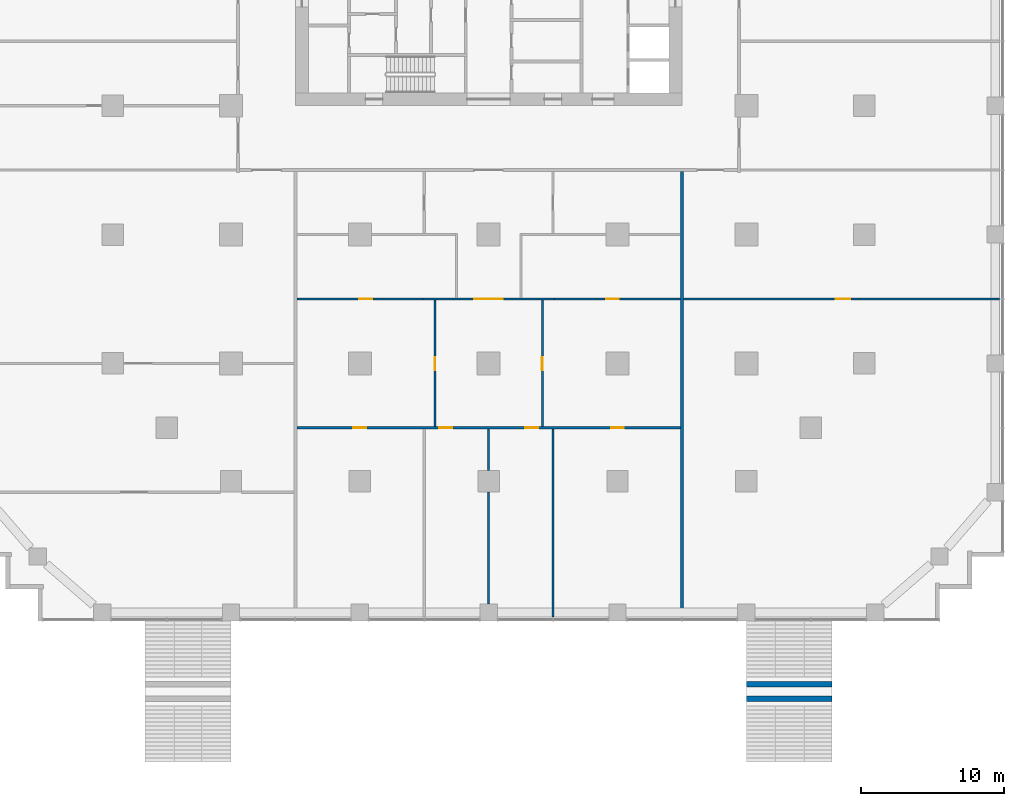
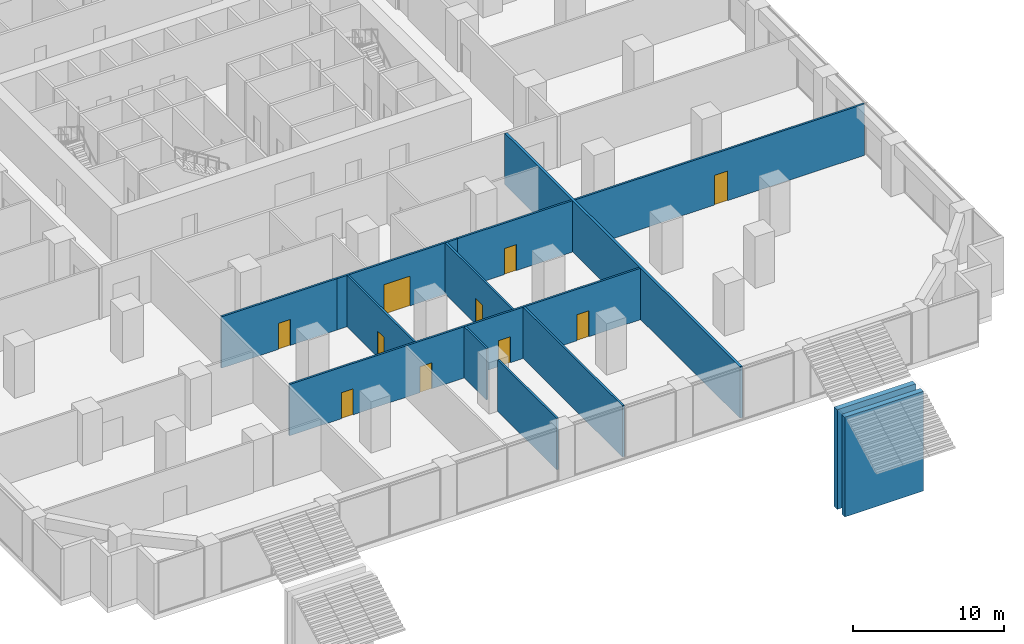
# One storey, part 12 of 18: 13 walls, 10 doors, 10 openings.
"""IFC4 building model written with IfcOpenShell, lengths in metres."""

import ifcopenshell
import ifcopenshell.guid

model = None  # the IFC model being written
_history = None  # IfcOwnerHistory: only IFC2X3 demands one
_inside = {}  # id of a spatial element -> (the spatial element, [elements in it])
_under = {}  # id of a project, library or spatial element -> (it, [spatial elements below it])
_declared = {}  # id of a project -> (the project, [libraries it declares])
_typed = {}  # id of a type object -> (the type object, [elements of that type])
_made_of = {}  # id of a material, layer set ... -> (it, [elements and type objects made of it])


def new_model(schema):
    """Start an empty IFC model of exactly this schema.

    Asked for "IFC4X3", IfcOpenShell would pick the latest addendum, in which some entities
    have other attributes; the version numbers below select the first issue.
    IFC2X3 requires an IfcOwnerHistory on every rooted entity: one is made here for all.
    """
    global model, _history
    if schema == "IFC4X3":
        model = ifcopenshell.file(schema_version=(4, 3, 0, 0))
    else:
        model = ifcopenshell.file(schema=schema)
    _inside.clear()
    _under.clear()
    _declared.clear()
    _typed.clear()
    _made_of.clear()
    _history = None
    if model.schema == "IFC2X3":
        org = make("IfcOrganization", Name="unknown")
        user = make(
            "IfcPersonAndOrganization",
            ThePerson=make("IfcPerson", FamilyName="unknown"),
            TheOrganization=org,
        )
        app = make(
            "IfcApplication",
            ApplicationDeveloper=org,
            Version="unknown",
            ApplicationFullName="unknown",
            ApplicationIdentifier="unknown",
        )
        _history = make(
            "IfcOwnerHistory",
            OwningUser=user,
            OwningApplication=app,
            ChangeAction="ADDED",
            CreationDate=0,
        )
    return model


def make(cls, **values):
    """One entity of the class cls with the attributes given. An attribute that is None is left unset."""
    return model.create_entity(
        cls, **{name: value for name, value in values.items() if value is not None}
    )


def rooted(cls, **values):
    """An entity with a GlobalId (a new one), such as an element, a storey or a relation."""
    return make(cls, GlobalId=ifcopenshell.guid.new(), OwnerHistory=_history, **values)


def si_unit(unit_type, name, prefix=None):
    """IfcSIUnit, for example si_unit("LENGTHUNIT", "METRE", prefix="MILLI")."""
    return make("IfcSIUnit", UnitType=unit_type, Prefix=prefix, Name=name)


def assignment(units):
    """IfcUnitAssignment: the units of a project."""
    return None if units is None else make("IfcUnitAssignment", Units=units)


def point(xyz):
    """IfcCartesianPoint."""
    return None if xyz is None else make("IfcCartesianPoint", Coordinates=xyz)


def direction(xyz):
    """IfcDirection."""
    return None if xyz is None else make("IfcDirection", DirectionRatios=xyz)


def frame(location, z_axis=None, x_axis=None):
    """IfcAxis2Placement3D, a coordinate frame: its origin and axes. An axis left out is left unset."""
    return make(
        "IfcAxis2Placement3D",
        Location=point(location),
        Axis=direction(z_axis),
        RefDirection=direction(x_axis),
    )


def frame_2d(location, x_axis=None):
    """IfcAxis2Placement2D, a coordinate frame in the plane: its origin and x axis."""
    return make(
        "IfcAxis2Placement2D", Location=point(location), RefDirection=direction(x_axis)
    )


def origin():
    """The frame at (0, 0, 0) with its axes left unset."""
    return frame((0.0, 0.0, 0.0))


def place(relative_to, where):
    """IfcLocalPlacement: puts the frame where relative to a parent placement (None: the world)."""
    return make(
        "IfcLocalPlacement", PlacementRelTo=relative_to, RelativePlacement=where
    )


def context(
    kind, dimensions, precision=None, world=None, true_north=None, identifier=None
):
    """IfcGeometricRepresentationContext, for example the 3D "Model" context."""
    return make(
        "IfcGeometricRepresentationContext",
        ContextIdentifier=identifier,
        ContextType=kind,
        CoordinateSpaceDimension=dimensions,
        Precision=precision,
        WorldCoordinateSystem=world,
        TrueNorth=true_north,
    )


def subcontext(parent, identifier, kind, view, scale=None):
    """IfcGeometricRepresentationSubContext, for example "Body" below "Model"."""
    return make(
        "IfcGeometricRepresentationSubContext",
        ContextIdentifier=identifier,
        ContextType=kind,
        ParentContext=parent,
        TargetScale=scale,
        TargetView=view,
    )


def project(units=None, contexts=None):
    """IfcProject with its units and contexts."""
    return rooted(
        "IfcProject",
        Name="project",
        RepresentationContexts=contexts,
        UnitsInContext=assignment(units),
    )


def spatial(cls, under=None, at=None, **own):
    """A site, building, storey or space (cls), placed at a placement, below another one or the project."""
    s = rooted(cls, ObjectPlacement=at, **own)
    if under is not None:
        _under.setdefault(under.id(), (under, []))[1].append(s)
    return s


def profile(cls, at=None, kind="AREA", **sizes):
    """A parametric profile (cls). Its sizes go by their IFC names, for example OverallWidth=200.0."""
    return make(cls, ProfileType=kind, Position=at, **sizes)


def rectangle(**sizes):
    """IfcRectangleProfileDef."""
    return profile("IfcRectangleProfileDef", **sizes)


def extrude(swept, where, along, depth):
    """IfcExtrudedAreaSolid: the profile swept, set in the frame where, extruded along a direction by depth."""
    return make(
        "IfcExtrudedAreaSolid",
        SweptArea=swept,
        Position=where,
        ExtrudedDirection=direction(along),
        Depth=depth,
    )


def shape(context_of_items, identifier, shape_type, items):
    """IfcShapeRepresentation: the items that make up one representation, for example the "Body"."""
    return make(
        "IfcShapeRepresentation",
        ContextOfItems=context_of_items,
        RepresentationIdentifier=identifier,
        RepresentationType=shape_type,
        Items=items,
    )


def material(Name=None, Category=None):
    """IfcMaterial."""
    return make("IfcMaterial", Name=Name, Category=Category)


def layer(
    of_material, thickness, ventilated=None, Name=None, Category=None, Priority=None
):
    """IfcMaterialLayer: one layer of a wall or slab, of a material (None: an air gap)."""
    return make(
        "IfcMaterialLayer",
        Material=of_material,
        LayerThickness=thickness,
        IsVentilated=ventilated,
        Name=Name,
        Category=Category,
        Priority=Priority,
    )


def layer_set(layers, Name=None):
    """IfcMaterialLayerSet."""
    return make("IfcMaterialLayerSet", MaterialLayers=layers, LayerSetName=Name)


def made_of(thing, what):
    """Note that an element or type object is made of a material, layer set ...; save() writes the relation."""
    if what is not None:
        _made_of.setdefault(what.id(), (what, []))[1].append(thing)
    return thing


def type_object(cls, material=None, **own):
    """A type object (cls), such as IfcWallType, which elements share."""
    return made_of(rooted(cls, **own), material)


def element(
    cls,
    number,
    at=None,
    inside=None,
    cuts=None,
    type_object=None,
    material=None,
    context=None,
    identifier="Body",
    shape_type=None,
    held_by="IfcProductDefinitionShape",
    body=None,
    shapes=None,
    **own,
):
    """One element of the class cls, such as IfcWall. Its Tag is "e" and its number.

    at: its placement. inside: the storey or other place that contains it. cuts: it is an
    opening in that element (IfcRelVoidsElement). A single representation is given by context,
    identifier, shape_type and body (its items); several are given by shapes. held_by: the class
    of the entity that holds the representations. save() writes the other relations.
    """
    e = rooted(cls, Tag="e%d" % number, ObjectPlacement=at, **own)
    if body is not None:
        shapes = [shape(context, identifier, shape_type, body)]
    if shapes is not None:
        e.Representation = make(held_by, Representations=shapes)
    if inside is not None:
        _inside.setdefault(inside.id(), (inside, []))[1].append(e)
    if cuts is not None:
        rooted(
            "IfcRelVoidsElement", RelatingBuildingElement=cuts, RelatedOpeningElement=e
        )
    if type_object is not None:
        _typed.setdefault(type_object.id(), (type_object, []))[1].append(e)
    return made_of(e, material)


def fill(opening, filler):
    """IfcRelFillsElement: the door or window that sits in an opening."""
    return rooted(
        "IfcRelFillsElement",
        RelatingOpeningElement=opening,
        RelatedBuildingElement=filler,
    )


def aggregate(whole, parts):
    """IfcRelAggregates: a whole, such as a stair, and the parts it consists of."""
    return rooted("IfcRelAggregates", RelatingObject=whole, RelatedObjects=parts)


def save(model, path):
    """Write the relations noted so far, then the file.

    IfcRelAggregates (storeys below a building ...), IfcRelContainedInSpatialStructure (elements
    in a storey), IfcRelDefinesByType, IfcRelAssociatesMaterial and IfcRelDeclares: one each for
    every whole, place, type object, material and project.
    """
    for whole, parts in _under.values():
        aggregate(whole, parts)
    for where, things in _inside.values():
        rooted(
            "IfcRelContainedInSpatialStructure",
            RelatedElements=things,
            RelatingStructure=where,
        )
    for kind, things in _typed.values():
        rooted("IfcRelDefinesByType", RelatedObjects=things, RelatingType=kind)
    for what, things in _made_of.values():
        rooted("IfcRelAssociatesMaterial", RelatedObjects=things, RelatingMaterial=what)
    for by, libraries in _declared.values():
        rooted("IfcRelDeclares", RelatingContext=by, RelatedDefinitions=libraries)
    model.write(path)


model = new_model("IFC4")

# Units and contexts
model_context = context("Model", 3, precision=1e-05, world=origin(), true_north=direction((0.0, 1.0)))
body_context = subcontext(model_context, "Body", "Model", "MODEL_VIEW")
ifc_project = project(units=[si_unit("LENGTHUNIT", "METRE"), si_unit("AREAUNIT", "SQUARE_METRE"), si_unit("VOLUMEUNIT", "CUBIC_METRE"), si_unit("PLANEANGLEUNIT", "RADIAN"), si_unit("MASSUNIT", "GRAM", prefix="KILO")], contexts=[model_context])

# Site, building, storey
site_placement = place(None, origin())
site = spatial("IfcSite", under=ifc_project, at=site_placement, CompositionType="ELEMENT")
building_placement = place(site_placement, origin())
building = spatial("IfcBuilding", under=site, at=building_placement, Name="Orbiselva Terraces", CompositionType="ELEMENT")
storey_placement = place(building_placement, frame((0.0, 0.0, 6.0)))
storey = spatial("IfcBuildingStorey", under=building, at=storey_placement, Name="L01", CompositionType="ELEMENT", Elevation=6.0)

# Walls
ifc_material_1 = material(Name="Concrete C40/50", Category="concrete")
ifc_layer_1 = layer(ifc_material_1, 0.4)
ifc_layer_set_1 = layer_set([ifc_layer_1], Name="Concrete C40/50")
wall_type_1 = type_object("IfcWallType", Name="ENV-STAIR-LANDING-WALL-400", PredefinedType="SOLIDWALL", material=ifc_layer_set_1)
for number, where, z_axis, x_axis, name in (
    (1, (18.0, -36.92, -6.0), (0.0, 0.0, 1.0), (1.0, 0.0, 0.0), "Stair landing wall 2 upper 1"),
    (2, (18.0, -35.92, -6.0), (0.0, 0.0, 1.0), (1.0, 0.0, 0.0), "Stair landing wall 2 upper 1"),
):
    element("IfcWall", number, at=place(storey_placement, frame(where, z_axis=z_axis, x_axis=x_axis)), inside=storey, type_object=wall_type_1, Name=name, PredefinedType="SOLIDWALL", context=body_context, shape_type="SweptSolid", body=[
        extrude(rectangle(XDim=6.0, YDim=0.4, at=frame_2d((3.0, 0.0))), origin(), (0.0, 0.0, 1.0), 8.05),
    ])
ifc_material_2 = material(Name="Plasterboard on steel stud partition", Category="steel")
ifc_layer_2 = layer(ifc_material_2, 0.15)
ifc_layer_set_2 = layer_set([ifc_layer_2], Name="Plasterboard on steel stud partition")
wall_type_2 = type_object("IfcWallType", Name="UNIT-PARTITION-150", PredefinedType="PARTITIONING", material=ifc_layer_set_2)
wall_1_placement = place(storey_placement, frame((0.0, -30.3, 0.0), z_axis=(0.0, 0.0, 1.0), x_axis=(0.0, 1.0, 0.0)))
element("IfcWall", 3, at=wall_1_placement, inside=storey, type_object=wall_type_2, Name="PARTITION L01-040", PredefinedType="PARTITIONING", context=body_context, shape_type="SweptSolid", body=[
    extrude(rectangle(XDim=7.8, YDim=0.15, at=frame_2d((3.9, 0.0))), origin(), (0.0, 0.0, 1.0), 4.15),
])
wall_2_placement = place(storey_placement, frame((0.0, -21.0, 0.0), z_axis=(0.0, 0.0, 1.0), x_axis=(0.0, 1.0, 0.0)))
element("IfcWall", 4, at=wall_2_placement, inside=storey, type_object=wall_type_2, Name="PARTITION L01-041", PredefinedType="PARTITIONING", context=body_context, shape_type="SweptSolid", body=[
    extrude(rectangle(XDim=2.925, YDim=0.15, at=frame_2d((1.4625, 0.0))), origin(), (0.0, 0.0, 1.0), 4.15),
])
wall_3_placement = place(storey_placement, frame((4.5, -31.2, 0.0), z_axis=(0.0, 0.0, 1.0), x_axis=(0.0, 1.0, 0.0)))
element("IfcWall", 5, at=wall_3_placement, inside=storey, type_object=wall_type_2, Name="PARTITION L01-045", PredefinedType="PARTITIONING", context=body_context, shape_type="SweptSolid", body=[
    extrude(rectangle(XDim=13.125, YDim=0.15, at=frame_2d((6.5625, 0.0))), origin(), (0.0, 0.0, 1.0), 4.15),
])

# Wall, openings, doors
ifc_layer_3 = layer(ifc_material_2, 0.15)
ifc_layer_set_3 = layer_set([ifc_layer_3], Name="Plasterboard on steel stud partition")
wall_type_3 = type_object("IfcWallType", Name="UNIT-PARTITION-FR-150", PredefinedType="PARTITIONING", material=ifc_layer_set_3)
wall_4_placement = place(storey_placement, frame((-13.4, -18.0, 0.0), z_axis=(0.0, 0.0, 1.0), x_axis=(1.0, 0.0, 0.0)))
wall_4 = element("IfcWall", 6, at=wall_4_placement, inside=storey, type_object=wall_type_3, Name="PARTITION L01-003", PredefinedType="PARTITIONING", context=body_context, shape_type="SweptSolid", body=[
    extrude(rectangle(XDim=26.8, YDim=0.15, at=frame_2d((13.4, 0.0))), origin(), (0.0, 0.0, 1.0), 4.15),
])
opening_1_placement = place(wall_4_placement, frame((9.95, 0.0, 0.0)))
opening_1 = element("IfcOpeningElement", 7, at=opening_1_placement, cuts=wall_4, Name="Opening PODIUM-AMENITY-23", PredefinedType="OPENING", context=body_context, shape_type="SweptSolid", body=[
    extrude(rectangle(XDim=0.9, YDim=2.1, at=frame_2d((0.45, 1.05))), frame((0.0, 0.085, 0.0), z_axis=(0.0, -1.0, 0.0), x_axis=(1.0, 0.0, 0.0)), (0.0, 0.0, 1.0), 0.17),
])
opening_2_placement = place(wall_4_placement, frame((15.95, 0.0, 0.0)))
opening_2 = element("IfcOpeningElement", 8, at=opening_2_placement, cuts=wall_4, Name="Opening PODIUM-AMENITY-24", PredefinedType="OPENING", context=body_context, shape_type="SweptSolid", body=[
    extrude(rectangle(XDim=0.9, YDim=2.1, at=frame_2d((0.45, 1.05))), frame((0.0, 0.085, 0.0), z_axis=(0.0, -1.0, 0.0), x_axis=(1.0, 0.0, 0.0)), (0.0, 0.0, 1.0), 0.17),
])
opening_3_placement = place(wall_4_placement, frame((3.95, 0.0, 0.0)))
opening_3 = element("IfcOpeningElement", 9, at=opening_3_placement, cuts=wall_4, Name="Opening PODIUM-AMENITY-26", PredefinedType="OPENING", context=body_context, shape_type="SweptSolid", body=[
    extrude(rectangle(XDim=0.9, YDim=2.1, at=frame_2d((0.45, 1.05))), frame((0.0, 0.085, 0.0), z_axis=(0.0, -1.0, 0.0), x_axis=(1.0, 0.0, 0.0)), (0.0, 0.0, 1.0), 0.17),
])
opening_4_placement = place(wall_4_placement, frame((21.95, 0.0, 0.0)))
opening_4 = element("IfcOpeningElement", 10, at=opening_4_placement, cuts=wall_4, Name="Opening PODIUM-AMENITY-28", PredefinedType="OPENING", context=body_context, shape_type="SweptSolid", body=[
    extrude(rectangle(XDim=0.9, YDim=2.1, at=frame_2d((0.45, 1.05))), frame((0.0, 0.085, 0.0), z_axis=(0.0, -1.0, 0.0), x_axis=(1.0, 0.0, 0.0)), (0.0, 0.0, 1.0), 0.17),
])
ifc_material_3 = material(Name="Painted timber door leaf", Category="wood")
door_type_1 = type_object("IfcDoorType", Name="SERVICE DOOR 900", OperationType="NOTDEFINED", PredefinedType="DOOR", material=ifc_material_3)
door_1_placement = place(opening_1_placement, origin())
door_1 = element("IfcDoor", 11, at=door_1_placement, inside=storey, type_object=door_type_1, Name="PODIUM-AMENITY-23", OperationType="SINGLE_SWING_LEFT", OverallHeight=2.1, OverallWidth=0.9, PredefinedType="DOOR", context=body_context, shape_type="SweptSolid", body=[
    extrude(rectangle(XDim=0.9, YDim=2.1, at=frame_2d((0.45, 1.05))), frame((0.0, 0.025, 0.0), z_axis=(0.0, -1.0, 0.0), x_axis=(1.0, 0.0, 0.0)), (0.0, 0.0, 1.0), 0.05),
])
fill(opening_1, door_1)
door_2_placement = place(opening_2_placement, origin())
door_2 = element("IfcDoor", 12, at=door_2_placement, inside=storey, type_object=door_type_1, Name="PODIUM-AMENITY-24", OperationType="SINGLE_SWING_RIGHT", OverallHeight=2.1, OverallWidth=0.9, PredefinedType="DOOR", context=body_context, shape_type="SweptSolid", body=[
    extrude(rectangle(XDim=0.9, YDim=2.1, at=frame_2d((0.45, 1.05))), frame((0.0, 0.025, 0.0), z_axis=(0.0, -1.0, 0.0), x_axis=(1.0, 0.0, 0.0)), (0.0, 0.0, 1.0), 0.05),
])
fill(opening_2, door_2)
door_3_placement = place(opening_3_placement, origin())
door_3 = element("IfcDoor", 13, at=door_3_placement, inside=storey, type_object=door_type_1, Name="PODIUM-AMENITY-26", OperationType="SINGLE_SWING_LEFT", OverallHeight=2.1, OverallWidth=0.9, PredefinedType="DOOR", context=body_context, shape_type="SweptSolid", body=[
    extrude(rectangle(XDim=0.9, YDim=2.1, at=frame_2d((0.45, 1.05))), frame((0.0, 0.025, 0.0), z_axis=(0.0, -1.0, 0.0), x_axis=(1.0, 0.0, 0.0)), (0.0, 0.0, 1.0), 0.05),
])
fill(opening_3, door_3)
door_4_placement = place(opening_4_placement, origin())
door_4 = element("IfcDoor", 14, at=door_4_placement, inside=storey, type_object=door_type_1, Name="PODIUM-AMENITY-28", OperationType="SINGLE_SWING_RIGHT", OverallHeight=2.1, OverallWidth=0.9, PredefinedType="DOOR", context=body_context, shape_type="SweptSolid", body=[
    extrude(rectangle(XDim=0.9, YDim=2.1, at=frame_2d((0.45, 1.05))), frame((0.0, 0.025, 0.0), z_axis=(0.0, -1.0, 0.0), x_axis=(1.0, 0.0, 0.0)), (0.0, 0.0, 1.0), 0.05),
])
fill(opening_4, door_4)

# Wall, opening, door
wall_5_placement = place(storey_placement, frame((-4.575, -9.0, 0.0), z_axis=(0.0, 0.0, 1.0), x_axis=(-1.0, 0.0, 0.0)))
wall_5 = element("IfcWall", 15, at=wall_5_placement, inside=storey, type_object=wall_type_3, Name="PARTITION L01-007", PredefinedType="PARTITIONING", context=body_context, shape_type="SweptSolid", body=[
    extrude(rectangle(XDim=8.825, YDim=0.15, at=frame_2d((4.4125, 0.0))), origin(), (0.0, 0.0, 1.0), 4.15),
])
opening_5_placement = place(wall_5_placement, frame((3.575, 0.0, 0.0)))
opening_5 = element("IfcOpeningElement", 16, at=opening_5_placement, cuts=wall_5, Name="Opening PODIUM-AMENITY-25", PredefinedType="OPENING", context=body_context, shape_type="SweptSolid", body=[
    extrude(rectangle(XDim=0.9, YDim=2.1, at=frame_2d((0.45, 1.05))), frame((0.0, 0.085, 0.0), z_axis=(0.0, -1.0, 0.0), x_axis=(1.0, 0.0, 0.0)), (0.0, 0.0, 1.0), 0.17),
])
door_5_placement = place(opening_5_placement, origin())
door_5 = element("IfcDoor", 17, at=door_5_placement, inside=storey, type_object=door_type_1, Name="PODIUM-AMENITY-25", OperationType="SINGLE_SWING_RIGHT", OverallHeight=2.1, OverallWidth=0.9, PredefinedType="DOOR", context=body_context, shape_type="SweptSolid", body=[
    extrude(rectangle(XDim=0.9, YDim=2.1, at=frame_2d((0.45, 1.05))), frame((0.0, 0.025, 0.0), z_axis=(0.0, -1.0, 0.0), x_axis=(1.0, 0.0, 0.0)), (0.0, 0.0, 1.0), 0.05),
])
fill(opening_5, door_5)

wall_6_placement = place(storey_placement, frame((-4.575, -9.0, 0.0), z_axis=(0.0, 0.0, 1.0), x_axis=(1.0, 0.0, 0.0)))
wall_6 = element("IfcWall", 18, at=wall_6_placement, inside=storey, type_object=wall_type_3, Name="PARTITION L01-008", PredefinedType="PARTITIONING", context=body_context, shape_type="SweptSolid", body=[
    extrude(rectangle(XDim=9.175, YDim=0.15, at=frame_2d((4.5875, 0.0))), origin(), (0.0, 0.0, 1.0), 4.15),
])
opening_6_placement = place(wall_6_placement, frame((3.575, 0.0, 0.0)))
opening_6 = element("IfcOpeningElement", 19, at=opening_6_placement, cuts=wall_6, Name="Opening PODIUM-AMENITY-20", PredefinedType="OPENING", context=body_context, shape_type="SweptSolid", body=[
    extrude(rectangle(XDim=2.0, YDim=2.4, at=frame_2d((1.0, 1.2))), frame((0.0, 0.085, 0.0), z_axis=(0.0, -1.0, 0.0), x_axis=(1.0, 0.0, 0.0)), (0.0, 0.0, 1.0), 0.17),
])
door_type_2 = type_object("IfcDoorType", Name="AMENITY DOUBLE DOOR 2000", OperationType="NOTDEFINED", PredefinedType="DOOR", material=ifc_material_3)
door_6_placement = place(opening_6_placement, origin())
door_6 = element("IfcDoor", 20, at=door_6_placement, inside=storey, type_object=door_type_2, Name="PODIUM-AMENITY-20", OperationType="DOUBLE_DOOR_SINGLE_SWING", OverallHeight=2.4, OverallWidth=2.0, PredefinedType="DOOR", context=body_context, shape_type="SweptSolid", body=[
    extrude(rectangle(XDim=2.0, YDim=2.4, at=frame_2d((1.0, 1.2))), frame((0.0, 0.025, 0.0), z_axis=(0.0, -1.0, 0.0), x_axis=(1.0, 0.0, 0.0)), (0.0, 0.0, 1.0), 0.05),
])
fill(opening_6, door_6)

wall_7_placement = place(storey_placement, frame((13.4, -9.0, 0.0), z_axis=(0.0, 0.0, 1.0), x_axis=(-1.0, 0.0, 0.0)))
wall_7 = element("IfcWall", 21, at=wall_7_placement, inside=storey, type_object=wall_type_3, Name="PARTITION L01-009", PredefinedType="PARTITIONING", context=body_context, shape_type="SweptSolid", body=[
    extrude(rectangle(XDim=8.8, YDim=0.15, at=frame_2d((4.4, 0.0))), origin(), (0.0, 0.0, 1.0), 4.15),
])
opening_7_placement = place(wall_7_placement, frame((4.3, 0.0, 0.0)))
opening_7 = element("IfcOpeningElement", 22, at=opening_7_placement, cuts=wall_7, Name="Opening PODIUM-AMENITY-27", PredefinedType="OPENING", context=body_context, shape_type="SweptSolid", body=[
    extrude(rectangle(XDim=0.9, YDim=2.1, at=frame_2d((0.45, 1.05))), frame((0.0, 0.085, 0.0), z_axis=(0.0, -1.0, 0.0), x_axis=(1.0, 0.0, 0.0)), (0.0, 0.0, 1.0), 0.17),
])
door_7_placement = place(opening_7_placement, origin())
door_7 = element("IfcDoor", 23, at=door_7_placement, inside=storey, type_object=door_type_1, Name="PODIUM-AMENITY-27", OperationType="SINGLE_SWING_LEFT", OverallHeight=2.1, OverallWidth=0.9, PredefinedType="DOOR", context=body_context, shape_type="SweptSolid", body=[
    extrude(rectangle(XDim=0.9, YDim=2.1, at=frame_2d((0.45, 1.05))), frame((0.0, 0.025, 0.0), z_axis=(0.0, -1.0, 0.0), x_axis=(1.0, 0.0, 0.0)), (0.0, 0.0, 1.0), 0.05),
])
fill(opening_7, door_7)

wall_8_placement = place(storey_placement, frame((13.6, -9.0, 0.0), z_axis=(0.0, 0.0, 1.0), x_axis=(1.0, 0.0, 0.0)))
wall_8 = element("IfcWall", 24, at=wall_8_placement, inside=storey, type_object=wall_type_3, Name="PARTITION L01-010", PredefinedType="PARTITIONING", context=body_context, shape_type="SweptSolid", body=[
    extrude(rectangle(XDim=22.1, YDim=0.15, at=frame_2d((11.05, 0.0))), origin(), (0.0, 0.0, 1.0), 4.15),
])
opening_8_placement = place(wall_8_placement, frame((10.65, 0.0, 0.0)))
opening_8 = element("IfcOpeningElement", 25, at=opening_8_placement, cuts=wall_8, Name="Opening PODIUM-AMENITY-29", PredefinedType="OPENING", context=body_context, shape_type="SweptSolid", body=[
    extrude(rectangle(XDim=1.0, YDim=2.4, at=frame_2d((0.5, 1.2))), frame((0.0, 0.085, 0.0), z_axis=(0.0, -1.0, 0.0), x_axis=(1.0, 0.0, 0.0)), (0.0, 0.0, 1.0), 0.17),
])
door_type_3 = type_object("IfcDoorType", Name="ROOM DOOR 1000", OperationType="NOTDEFINED", PredefinedType="DOOR", material=ifc_material_3)
door_8_placement = place(opening_8_placement, origin())
door_8 = element("IfcDoor", 26, at=door_8_placement, inside=storey, type_object=door_type_3, Name="PODIUM-AMENITY-29", OperationType="SINGLE_SWING_RIGHT", OverallHeight=2.4, OverallWidth=1.0, PredefinedType="DOOR", context=body_context, shape_type="SweptSolid", body=[
    extrude(rectangle(XDim=1.0, YDim=2.4, at=frame_2d((0.5, 1.2))), frame((0.0, 0.025, 0.0), z_axis=(0.0, -1.0, 0.0), x_axis=(1.0, 0.0, 0.0)), (0.0, 0.0, 1.0), 0.05),
])
fill(opening_8, door_8)

wall_9_placement = place(storey_placement, frame((-3.75, -9.075, 0.0), z_axis=(0.0, 0.0, 1.0), x_axis=(0.0, -1.0, 0.0)))
wall_9 = element("IfcWall", 27, at=wall_9_placement, inside=storey, type_object=wall_type_3, Name="PARTITION L01-038", PredefinedType="PARTITIONING", context=body_context, shape_type="SweptSolid", body=[
    extrude(rectangle(XDim=8.85, YDim=0.15, at=frame_2d((4.425, 0.0))), origin(), (0.0, 0.0, 1.0), 4.15),
])
opening_9_placement = place(wall_9_placement, frame((4.0, 0.0, 0.0)))
opening_9 = element("IfcOpeningElement", 28, at=opening_9_placement, cuts=wall_9, Name="Opening PODIUM-AMENITY-21", PredefinedType="OPENING", context=body_context, shape_type="SweptSolid", body=[
    extrude(rectangle(XDim=0.9, YDim=2.1, at=frame_2d((0.45, 1.05))), frame((0.0, 0.085, 0.0), z_axis=(0.0, -1.0, 0.0), x_axis=(1.0, 0.0, 0.0)), (0.0, 0.0, 1.0), 0.17),
])
door_9_placement = place(opening_9_placement, origin())
door_9 = element("IfcDoor", 29, at=door_9_placement, inside=storey, type_object=door_type_1, Name="PODIUM-AMENITY-21", OperationType="SINGLE_SWING_RIGHT", OverallHeight=2.1, OverallWidth=0.9, PredefinedType="DOOR", context=body_context, shape_type="SweptSolid", body=[
    extrude(rectangle(XDim=0.9, YDim=2.1, at=frame_2d((0.45, 1.05))), frame((0.0, 0.025, 0.0), z_axis=(0.0, -1.0, 0.0), x_axis=(1.0, 0.0, 0.0)), (0.0, 0.0, 1.0), 0.05),
])
fill(opening_9, door_9)

wall_10_placement = place(storey_placement, frame((3.75, -17.925, 0.0), z_axis=(0.0, 0.0, 1.0), x_axis=(0.0, 1.0, 0.0)))
wall_10 = element("IfcWall", 30, at=wall_10_placement, inside=storey, type_object=wall_type_3, Name="PARTITION L01-044", PredefinedType="PARTITIONING", context=body_context, shape_type="SweptSolid", body=[
    extrude(rectangle(XDim=8.85, YDim=0.15, at=frame_2d((4.425, 0.0))), origin(), (0.0, 0.0, 1.0), 4.15),
])
opening_10_placement = place(wall_10_placement, frame((3.95, 0.0, 0.0)))
opening_10 = element("IfcOpeningElement", 31, at=opening_10_placement, cuts=wall_10, Name="Opening PODIUM-AMENITY-22", PredefinedType="OPENING", context=body_context, shape_type="SweptSolid", body=[
    extrude(rectangle(XDim=0.9, YDim=2.1, at=frame_2d((0.45, 1.05))), frame((0.0, 0.085, 0.0), z_axis=(0.0, -1.0, 0.0), x_axis=(1.0, 0.0, 0.0)), (0.0, 0.0, 1.0), 0.17),
])
door_10_placement = place(opening_10_placement, origin())
door_10 = element("IfcDoor", 32, at=door_10_placement, inside=storey, type_object=door_type_1, Name="PODIUM-AMENITY-22", OperationType="SINGLE_SWING_LEFT", OverallHeight=2.1, OverallWidth=0.9, PredefinedType="DOOR", context=body_context, shape_type="SweptSolid", body=[
    extrude(rectangle(XDim=0.9, YDim=2.1, at=frame_2d((0.45, 1.05))), frame((0.0, 0.025, 0.0), z_axis=(0.0, -1.0, 0.0), x_axis=(1.0, 0.0, 0.0)), (0.0, 0.0, 1.0), 0.05),
])
fill(opening_10, door_10)

# Wall
ifc_layer_4 = layer(ifc_material_2, 0.2)
ifc_layer_set_4 = layer_set([ifc_layer_4], Name="Plasterboard on steel stud partition")
wall_type_4 = type_object("IfcWallType", Name="UNIT-PARTY-WALL-200", PredefinedType="PARTITIONING", material=ifc_layer_set_4)
wall_11_placement = place(storey_placement, frame((13.5, -31.2, 0.0), z_axis=(0.0, 0.0, 1.0), x_axis=(0.0, 1.0, 0.0)))
element("IfcWall", 33, at=wall_11_placement, inside=storey, type_object=wall_type_4, Name="PARTITION L01-048", PredefinedType="PARTITIONING", context=body_context, shape_type="SweptSolid", body=[
    extrude(rectangle(XDim=31.1, YDim=0.2, at=frame_2d((15.55, 0.0))), origin(), (0.0, 0.0, 1.0), 4.15),
])

save(model, "model.ifc")
